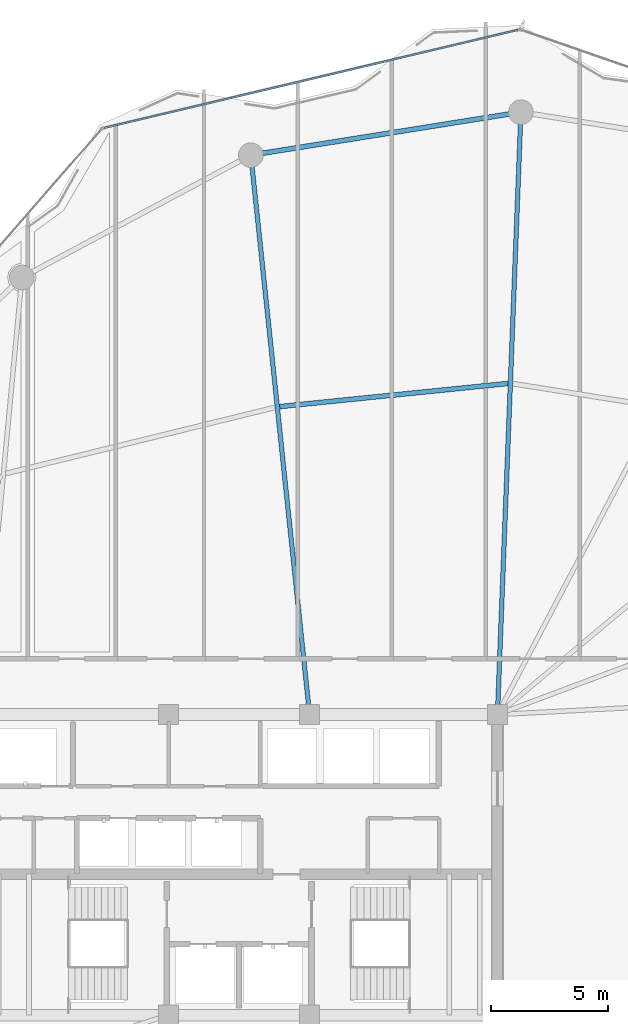
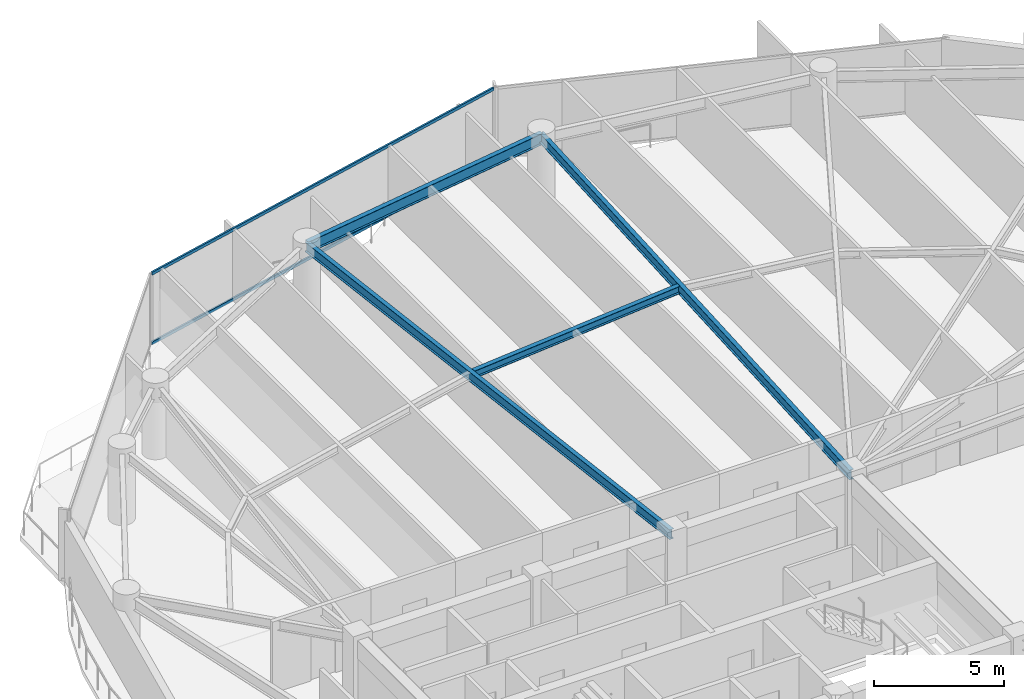
# One storey, part 18 of 29: 4 beams, 2 members, 1 element without a shape of its own.
"""IFC4 building model written with IfcOpenShell, lengths in metres."""

from ifc_helpers import new_model, si_unit, direction, frame, origin, origin_2d, place, context, subcontext, project, spatial, hollow_rectangle, i_section, extrude, material, layer, layer_set, material_profile, profile_set, type_object, element, aggregate, save


model = new_model("IFC4")

# Units and contexts
model_context = context("Model", 3, precision=1e-05, world=origin(), true_north=direction((0.0, 1.0)))
body_context = subcontext(model_context, "Body", "Model", "MODEL_VIEW")
ifc_project = project(units=[si_unit("LENGTHUNIT", "METRE"), si_unit("AREAUNIT", "SQUARE_METRE"), si_unit("VOLUMEUNIT", "CUBIC_METRE"), si_unit("PLANEANGLEUNIT", "RADIAN"), si_unit("MASSUNIT", "GRAM", prefix="KILO")], contexts=[model_context])

# Site, building, storey
site_placement = place(None, origin())
site = spatial("IfcSite", under=ifc_project, at=site_placement, CompositionType="ELEMENT")
building_placement = place(site_placement, origin())
building = spatial("IfcBuilding", under=site, at=building_placement, Name="Kazevale Care Tower and Concert Hall", CompositionType="ELEMENT")
storey_placement = place(building_placement, frame((0.0, 0.0, 195.60009765625)))
storey = spatial("IfcBuildingStorey", under=building, at=storey_placement, Name="L51", CompositionType="ELEMENT", Elevation=195.60009765625)

# Curtain wall, members
ifc_material_1 = material(Name="Aluminium 6063-T6 and Low-E Glass", Category="aluminium")
ifc_layer = layer(ifc_material_1, 0.179931640625)
ifc_layer_set = layer_set([ifc_layer], Name="Aluminium 6063-T6 and Low-E Glass")
curtain_wall_type = type_object("IfcCurtainWallType", Name="Waist & Upper Residential Curtain Wall CW-4", PredefinedType="NOTDEFINED", material=ifc_layer_set)
curtain_wall_placement = place(storey_placement, origin())
curtain_wall = element("IfcCurtainWall", 1, at=curtain_wall_placement, inside=storey, type_object=curtain_wall_type, Name="cw:L51:f15", PredefinedType="NOTDEFINED")
ifc_material_2 = material(Name="Aluminium 6063-T6", Category="aluminium")
ifc_material_profile_1 = material_profile(ifc_material_2, hollow_rectangle(XDim=0.080078125, YDim=0.139892578125, WallThickness=0.00390625, at=origin_2d()), Name="ALU80x140x4")
ifc_profile_set_1 = profile_set([ifc_material_profile_1], Name="Aluminium 6063-T6")
member_type = type_object("IfcMemberType", Name="CW-4 Transom ALU80x140x4", PredefinedType="USERDEFINED", material=ifc_profile_set_1)
member_1_placement = place(storey_placement, frame((27.249755859375, 61.37548828125, 0.039794921875), z_axis=(0.973087923042, 0.2304341425, 0.0), x_axis=(-0.2304341425, 0.973087923042, 0.0)))
member_1 = element("IfcMember", 2, at=member_1_placement, type_object=member_type, Name="CW-4 transom 1.1", ObjectType="TRANSOM", PredefinedType="USERDEFINED", context=body_context, shape_type="SweptSolid", body=[
    extrude(hollow_rectangle(XDim=0.080078125, YDim=0.139892578125, WallThickness=0.00390625, at=origin_2d()), origin(), (0.0, 0.0, 1.0), 18.114013671875),
])
member_2_placement = place(storey_placement, frame((27.249755859375, 61.37548828125, 3.31982421875), z_axis=(0.973087923042, 0.2304341425, 0.0), x_axis=(-0.2304341425, 0.973087923042, 0.0)))
member_2 = element("IfcMember", 3, at=member_2_placement, type_object=member_type, Name="CW-4 transom 1.2", ObjectType="TRANSOM", PredefinedType="USERDEFINED", context=body_context, shape_type="SweptSolid", body=[
    extrude(hollow_rectangle(XDim=0.080078125, YDim=0.139892578125, WallThickness=0.00390625, at=origin_2d()), origin(), (0.0, 0.0, 1.0), 18.114013671875),
])
aggregate(curtain_wall, [member_1, member_2])

# Beams
ifc_material_3 = material(Name="Steel ASTM A572 Gr 50", Category="steel")
ifc_material_profile_2 = material_profile(ifc_material_3, i_section(OverallWidth=0.19091796875, OverallDepth=0.4599609375, WebThickness=0.010009765625, FlangeThickness=0.01611328125, at=origin_2d()), Name="W460x82")
ifc_profile_set_2 = profile_set([ifc_material_profile_2], Name="Steel ASTM A572 Gr 50")
beam_type_1 = type_object("IfcBeamType", Name="Radial Floor Beam W460x82", PredefinedType="BEAM", material=ifc_profile_set_2)
beam_1_placement = place(storey_placement, frame((44.0, 36.39990234375, 3.1298828125), z_axis=(0.03895653799, 0.999240905962, 0.0), x_axis=(-0.999240905962, 0.03895653799, 0.0)))
element("IfcBeam", 4, at=beam_1_placement, inside=storey, type_object=beam_type_1, Name="beam:L51:rad:05", PredefinedType="BEAM", context=body_context, shape_type="SweptSolid", body=[
    extrude(i_section(OverallWidth=0.19091796875, OverallDepth=0.4599609375, WebThickness=0.010009765625, FlangeThickness=0.01611328125, at=origin_2d()), origin(), (0.0, 0.0, 1.0), 25.669677734375),
])
beam_2_placement = place(storey_placement, frame((36.0, 36.39990234375, 3.1298828125), z_axis=(-0.104380207012, 0.994537466556, 0.0), x_axis=(-0.994537466556, -0.104380207012, 0.0)))
element("IfcBeam", 5, at=beam_2_placement, inside=storey, type_object=beam_type_1, Name="beam:L51:rad:06", PredefinedType="BEAM", context=body_context, shape_type="SweptSolid", body=[
    extrude(i_section(OverallWidth=0.19091796875, OverallDepth=0.4599609375, WebThickness=0.010009765625, FlangeThickness=0.01611328125, at=origin_2d()), origin(), (0.0, 0.0, 1.0), 23.950927734375),
])
ifc_material_profile_3 = material_profile(ifc_material_3, i_section(OverallWidth=0.205078125, OverallDepth=0.35400390625, WebThickness=0.009521484375, FlangeThickness=0.016845703125, at=origin_2d()), Name="W360x79")
ifc_profile_set_3 = profile_set([ifc_material_profile_3], Name="Steel ASTM A572 Gr 50")
beam_type_2 = type_object("IfcBeamType", Name="Secondary Floor Joist W360x79", PredefinedType="JOIST", material=ifc_profile_set_3)
beam_3_placement = place(storey_placement, frame((44.446044921875, 50.4970703125, 3.182861328125), z_axis=(-0.994900388447, -0.10086236696, 0.0), x_axis=(0.10086236696, -0.994900388447, 0.0)))
element("IfcBeam", 6, at=beam_3_placement, inside=storey, type_object=beam_type_2, Name="beam:L51:joist:05", PredefinedType="JOIST", context=body_context, shape_type="SweptSolid", body=[
    extrude(i_section(OverallWidth=0.205078125, OverallDepth=0.35400390625, WebThickness=0.009521484375, FlangeThickness=0.016845703125, at=origin_2d()), origin(), (0.0, 0.0, 1.0), 9.766845703125),
])
ifc_material_profile_4 = material_profile(ifc_material_3, i_section(OverallWidth=0.208984375, OverallDepth=0.532958984375, WebThickness=0.01025390625, FlangeThickness=0.015625, at=origin_2d()), Name="W530x92")
ifc_profile_set_4 = profile_set([ifc_material_profile_4], Name="Steel ASTM A572 Gr 50")
beam_type_3 = type_object("IfcBeamType", Name="Upper Ring Beam W530x92", PredefinedType="BEAM", material=ifc_profile_set_4)
beam_4_placement = place(storey_placement, frame((45.0, 62.050048828125, 3.093505859375), z_axis=(-0.987573207584, -0.15715966296, 0.0), x_axis=(0.15715966296, -0.987573207584, 0.0)))
element("IfcBeam", 7, at=beam_4_placement, inside=storey, type_object=beam_type_3, Name="beam:L51:ring:05", PredefinedType="BEAM", context=body_context, shape_type="SweptSolid", body=[
    extrude(i_section(OverallWidth=0.208984375, OverallDepth=0.532958984375, WebThickness=0.01025390625, FlangeThickness=0.015625, at=origin_2d()), origin(), (0.0, 0.0, 1.0), 11.644775390625),
])

save(model, "model.ifc")
